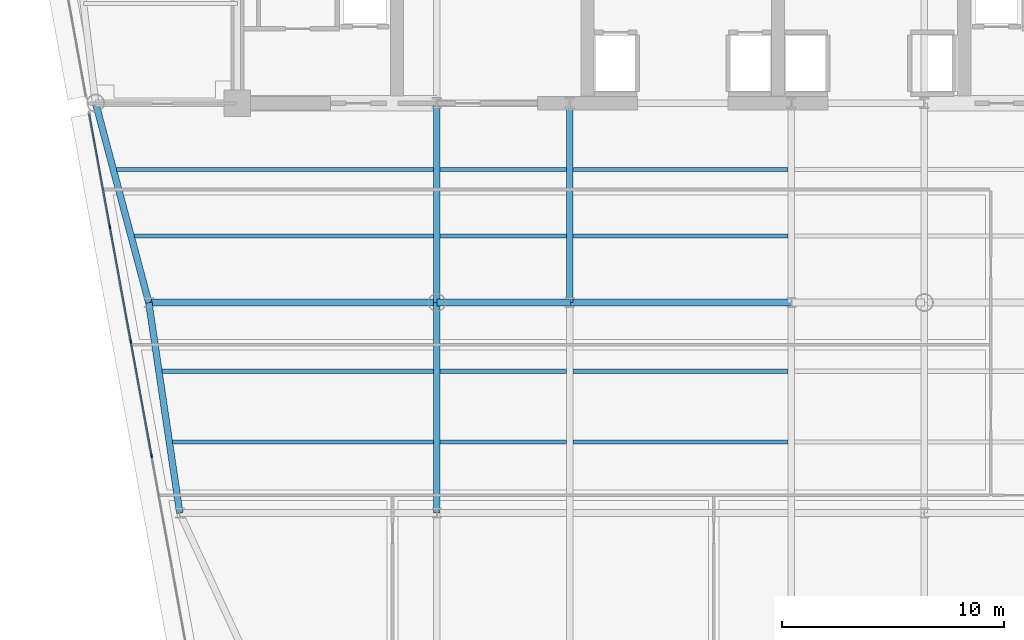
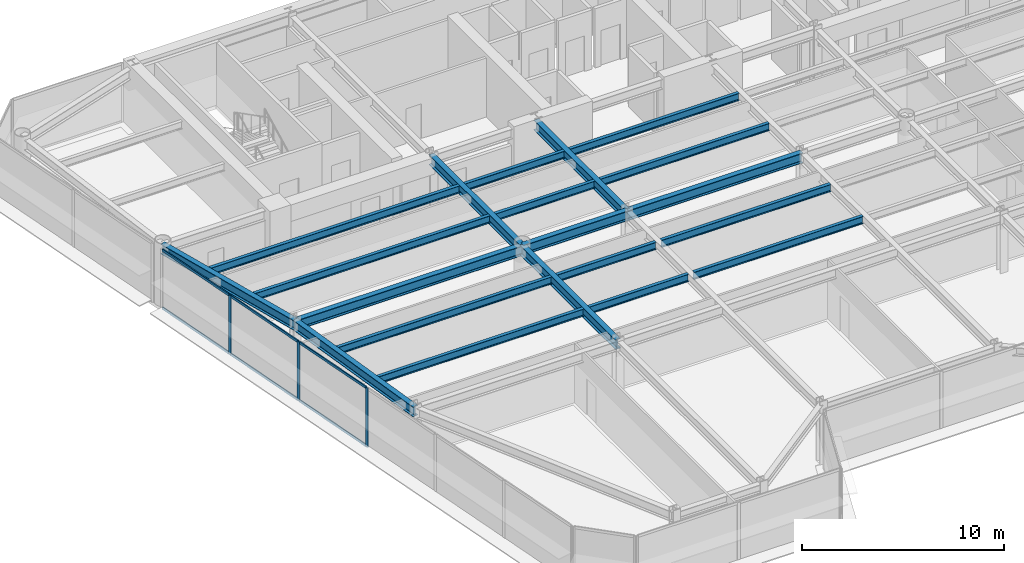
# One storey, part 4 of 17: 20 beams, 9 members, 1 element without a shape of its own.
"""IFC4 building model written with IfcOpenShell, lengths in metres."""

from ifc_helpers import new_model, si_unit, direction, frame, origin, origin_2d, place, context, subcontext, project, spatial, rectangle, i_section, extrude, source, transform, mapped, material, layer, layer_set, material_profile, profile_set, type_object, element, aggregate, save


model = new_model("IFC4")

# Units and contexts
model_context = context("Model", 3, precision=1e-05, world=origin(), true_north=direction((0.0, 1.0)))
body_context = subcontext(model_context, "Body", "Model", "MODEL_VIEW")
ifc_project = project(units=[si_unit("LENGTHUNIT", "METRE"), si_unit("AREAUNIT", "SQUARE_METRE"), si_unit("VOLUMEUNIT", "CUBIC_METRE"), si_unit("PLANEANGLEUNIT", "RADIAN"), si_unit("MASSUNIT", "GRAM", prefix="KILO")], contexts=[model_context])

# Site, building, storey
site_placement = place(None, origin())
site = spatial("IfcSite", under=ifc_project, at=site_placement, CompositionType="ELEMENT")
building_placement = place(site_placement, origin())
building = spatial("IfcBuilding", under=site, at=building_placement, Name="Vaeldorn Concourse Tower", CompositionType="ELEMENT")
storey_placement = place(building_placement, frame((0.0, 0.0, 172.800048828125)))
storey = spatial("IfcBuildingStorey", under=building, at=storey_placement, Name="L44", CompositionType="ELEMENT", Elevation=172.800048828125)

# Beams
ifc_material_1 = material(Name="Steel S355", Category="steel")
ifc_material_profile_1 = material_profile(ifc_material_1, i_section(OverallWidth=0.18994140625, OverallDepth=0.449951171875, WebThickness=0.009521484375, FlangeThickness=0.0146484375, FilletRadius=0.02099609375, at=origin_2d()), Name="IPE 450")
ifc_profile_set_1 = profile_set([ifc_material_profile_1], Name="Steel S355")
beam_type_1 = type_object("IfcBeamType", Name="BM-JS-IPE450", PredefinedType="JOIST", material=ifc_profile_set_1)
shared_shape_1 = source(origin(), body_context, "Body", "SweptSolid", [
    extrude(i_section(OverallWidth=0.18994140625, OverallDepth=0.449951171875, WebThickness=0.009521484375, FlangeThickness=0.0146484375, FilletRadius=0.02099609375, at=origin_2d()), origin(), (0.0, 0.0, 1.0), 5.7001953125),
])
for number, where, z_axis, x_axis, name in (
    (1, (23.14990234375, 21.199951171875, 3.35498046875), (1.0, 0.0, 0.0), (0.0, 1.0, 0.0), "Beam JS-L44-W2-212"),
    (2, (23.14990234375, 24.39990234375, 3.35498046875), (1.0, 0.0, 0.0), (0.0, 1.0, 0.0), "Beam JS-L44-W2-244"),
    (3, (23.14990234375, 30.5, 3.35498046875), (1.0, 0.0, 0.0), (0.0, 1.0, 0.0), "Beam JS-L44-W2-305"),
    (4, (23.14990234375, 33.5, 3.35498046875), (1.0, 0.0, 0.0), (0.0, 1.0, 0.0), "Beam JS-L44-W2-335"),
):
    element("IfcBeam", number, at=place(storey_placement, frame(where, z_axis=z_axis, x_axis=x_axis)), inside=storey, type_object=beam_type_1, Name=name, PredefinedType="JOIST", context=body_context, shape_type="MappedRepresentation", body=[
        mapped(shared_shape_1, transform((0.0, 0.0, 0.0), scale=1.0)),
    ])
shared_shape_2 = source(origin(), body_context, "Body", "SweptSolid", [
    extrude(i_section(OverallWidth=0.18994140625, OverallDepth=0.449951171875, WebThickness=0.009521484375, FlangeThickness=0.0146484375, FilletRadius=0.02099609375, at=origin_2d()), origin(), (0.0, 0.0, 1.0), 9.7001953125),
])
for number, where, z_axis, x_axis, name in (
    (5, (29.14990234375, 21.199951171875, 3.35498046875), (1.0, 0.0, 0.0), (0.0, 1.0, 0.0), "Beam JS-L44-C-212"),
    (6, (29.14990234375, 24.39990234375, 3.35498046875), (1.0, 0.0, 0.0), (0.0, 1.0, 0.0), "Beam JS-L44-C-244"),
    (7, (29.14990234375, 30.5, 3.35498046875), (1.0, 0.0, 0.0), (0.0, 1.0, 0.0), "Beam JS-L44-C-305"),
    (8, (29.14990234375, 33.5, 3.35498046875), (1.0, 0.0, 0.0), (0.0, 1.0, 0.0), "Beam JS-L44-C-335"),
):
    element("IfcBeam", number, at=place(storey_placement, frame(where, z_axis=z_axis, x_axis=x_axis)), inside=storey, type_object=beam_type_1, Name=name, PredefinedType="JOIST", context=body_context, shape_type="MappedRepresentation", body=[
        mapped(shared_shape_2, transform((0.0, 0.0, 0.0), scale=1.0)),
    ])
shared_shape_3 = source(origin(), body_context, "Body", "SweptSolid", [
    extrude(i_section(OverallWidth=0.18994140625, OverallDepth=0.449951171875, WebThickness=0.009521484375, FlangeThickness=0.0146484375, FilletRadius=0.02099609375, at=origin_2d()), origin(), (0.0, 0.0, 1.0), 11.771728515625),
])
beam_1_placement = place(storey_placement, frame((11.078369140625, 21.199951171875, 3.35498046875), z_axis=(1.0, 0.0, 0.0), x_axis=(0.0, 1.0, 0.0)))
element("IfcBeam", 9, at=beam_1_placement, inside=storey, type_object=beam_type_1, Name="Beam JS-L44-W1-212", PredefinedType="JOIST", context=body_context, shape_type="MappedRepresentation", body=[
    mapped(shared_shape_3, transform((0.0, 0.0, 0.0), scale=1.0)),
])
shared_shape_4 = source(origin(), body_context, "Body", "SweptSolid", [
    extrude(i_section(OverallWidth=0.18994140625, OverallDepth=0.449951171875, WebThickness=0.009521484375, FlangeThickness=0.0146484375, FilletRadius=0.02099609375, at=origin_2d()), origin(), (0.0, 0.0, 1.0), 12.243408203125),
])
beam_2_placement = place(storey_placement, frame((10.606689453125, 24.39990234375, 3.35498046875), z_axis=(1.0, 0.0, 0.0), x_axis=(0.0, 1.0, 0.0)))
element("IfcBeam", 10, at=beam_2_placement, inside=storey, type_object=beam_type_1, Name="Beam JS-L44-W1-244", PredefinedType="JOIST", context=body_context, shape_type="MappedRepresentation", body=[
    mapped(shared_shape_4, transform((0.0, 0.0, 0.0), scale=1.0)),
])
shared_shape_5 = source(origin(), body_context, "Body", "SweptSolid", [
    extrude(i_section(OverallWidth=0.18994140625, OverallDepth=0.449951171875, WebThickness=0.009521484375, FlangeThickness=0.0146484375, FilletRadius=0.02099609375, at=origin_2d()), origin(), (0.0, 0.0, 1.0), 13.5),
])
beam_3_placement = place(storey_placement, frame((9.35009765625, 30.5, 3.35498046875), z_axis=(1.0, 0.0, 0.0), x_axis=(0.0, 1.0, 0.0)))
element("IfcBeam", 11, at=beam_3_placement, inside=storey, type_object=beam_type_1, Name="Beam JS-L44-W1-305", PredefinedType="JOIST", context=body_context, shape_type="MappedRepresentation", body=[
    mapped(shared_shape_5, transform((0.0, 0.0, 0.0), scale=1.0)),
])
shared_shape_6 = source(origin(), body_context, "Body", "SweptSolid", [
    extrude(i_section(OverallWidth=0.18994140625, OverallDepth=0.449951171875, WebThickness=0.009521484375, FlangeThickness=0.0146484375, FilletRadius=0.02099609375, at=origin_2d()), origin(), (0.0, 0.0, 1.0), 14.300048828125),
])
beam_4_placement = place(storey_placement, frame((8.550048828125, 33.5, 3.35498046875), z_axis=(1.0, 0.0, 0.0), x_axis=(0.0, 1.0, 0.0)))
element("IfcBeam", 12, at=beam_4_placement, inside=storey, type_object=beam_type_1, Name="Beam JS-L44-W1-335", PredefinedType="JOIST", context=body_context, shape_type="MappedRepresentation", body=[
    mapped(shared_shape_6, transform((0.0, 0.0, 0.0), scale=1.0)),
])
ifc_material_profile_2 = material_profile(ifc_material_1, i_section(OverallWidth=0.300048828125, OverallDepth=0.60009765625, WebThickness=0.015380859375, FlangeThickness=0.030029296875, FilletRadius=0.027099609375, at=origin_2d()), Name="HEB 600")
ifc_profile_set_2 = profile_set([ifc_material_profile_2], Name="Steel S355")
beam_type_2 = type_object("IfcBeamType", Name="BM-PG-HEB600", PredefinedType="BEAM", material=ifc_profile_set_2)
shared_shape_7 = source(origin(), body_context, "Body", "SweptSolid", [
    extrude(i_section(OverallWidth=0.300048828125, OverallDepth=0.60009765625, WebThickness=0.015380859375, FlangeThickness=0.030029296875, FilletRadius=0.027099609375, at=origin_2d()), origin(), (0.0, 0.0, 1.0), 6.0),
])
beam_5_placement = place(storey_placement, frame((23.0, 27.5, 3.280029296875), z_axis=(1.0, 0.0, 0.0), x_axis=(0.0, 1.0, 0.0)))
element("IfcBeam", 13, at=beam_5_placement, inside=storey, type_object=beam_type_2, Name="Beam BM-L44-C-TW1-C-TW2", PredefinedType="BEAM", context=body_context, shape_type="MappedRepresentation", body=[
    mapped(shared_shape_7, transform((0.0, 0.0, 0.0), scale=1.0)),
])
shared_shape_8 = source(origin(), body_context, "Body", "SweptSolid", [
    extrude(i_section(OverallWidth=0.300048828125, OverallDepth=0.60009765625, WebThickness=0.015380859375, FlangeThickness=0.030029296875, FilletRadius=0.027099609375, at=origin_2d()), origin(), (0.0, 0.0, 1.0), 10.0),
])
beam_6_placement = place(storey_placement, frame((29.0, 27.5, 3.280029296875), z_axis=(1.0, 0.0, 0.0), x_axis=(0.0, 1.0, 0.0)))
element("IfcBeam", 14, at=beam_6_placement, inside=storey, type_object=beam_type_2, Name="Beam BM-L44-C-TW2-C-TW3", PredefinedType="BEAM", context=body_context, shape_type="MappedRepresentation", body=[
    mapped(shared_shape_8, transform((0.0, 0.0, 0.0), scale=1.0)),
])
shared_shape_9 = source(origin(), body_context, "Body", "SweptSolid", [
    extrude(i_section(OverallWidth=0.300048828125, OverallDepth=0.60009765625, WebThickness=0.015380859375, FlangeThickness=0.030029296875, FilletRadius=0.027099609375, at=origin_2d()), origin(), (0.0, 0.0, 1.0), 9.0),
])
for number, where, z_axis, x_axis, name in (
    (15, (23.0, 27.5, 3.280029296875), (0.0, 1.0, 0.0), (-1.0, 0.0, 0.0), "Beam BM-L44-C-TW1-C-FC2"),
    (16, (29.0, 27.5, 3.280029296875), (0.0, 1.0, 0.0), (-1.0, 0.0, 0.0), "Beam BM-L44-C-TW2-C-FC3"),
):
    element("IfcBeam", number, at=place(storey_placement, frame(where, z_axis=z_axis, x_axis=x_axis)), inside=storey, type_object=beam_type_2, Name=name, PredefinedType="BEAM", context=body_context, shape_type="MappedRepresentation", body=[
        mapped(shared_shape_9, transform((0.0, 0.0, 0.0), scale=1.0)),
    ])
shared_shape_10 = source(origin(), body_context, "Body", "SweptSolid", [
    extrude(i_section(OverallWidth=0.300048828125, OverallDepth=0.60009765625, WebThickness=0.015380859375, FlangeThickness=0.030029296875, FilletRadius=0.027099609375, at=origin_2d()), origin(), (0.0, 0.0, 1.0), 9.314453125),
])
beam_7_placement = place(storey_placement, frame((7.60009765625, 36.5, 3.280029296875), z_axis=(0.257652862255, -0.966237549763, 0.0), x_axis=(0.966237549763, 0.257652862255, 0.0)))
element("IfcBeam", 17, at=beam_7_placement, inside=storey, type_object=beam_type_2, Name="Beam BM-L44-C-NW2-C-FLW1", PredefinedType="BEAM", context=body_context, shape_type="MappedRepresentation", body=[
    mapped(shared_shape_10, transform((0.0, 0.0, 0.0), scale=1.0)),
])
shared_shape_11 = source(origin(), body_context, "Body", "SweptSolid", [
    extrude(i_section(OverallWidth=0.300048828125, OverallDepth=0.60009765625, WebThickness=0.015380859375, FlangeThickness=0.030029296875, FilletRadius=0.027099609375, at=origin_2d()), origin(), (0.0, 0.0, 1.0), 13.0),
])
beam_8_placement = place(storey_placement, frame((10.0, 27.5, 3.280029296875), z_axis=(1.0, 0.0, 0.0), x_axis=(0.0, 1.0, 0.0)))
element("IfcBeam", 18, at=beam_8_placement, inside=storey, type_object=beam_type_2, Name="Beam BM-L44-C-FLW1-C-TW1", PredefinedType="BEAM", context=body_context, shape_type="MappedRepresentation", body=[
    mapped(shared_shape_11, transform((0.0, 0.0, 0.0), scale=1.0)),
])
shared_shape_12 = source(origin(), body_context, "Body", "SweptSolid", [
    extrude(i_section(OverallWidth=0.300048828125, OverallDepth=0.60009765625, WebThickness=0.015380859375, FlangeThickness=0.030029296875, FilletRadius=0.027099609375, at=origin_2d()), origin(), (0.0, 0.0, 1.0), 9.6025390625),
])
beam_9_placement = place(storey_placement, frame((10.0, 27.5, 3.280029296875), z_axis=(0.145783835977, -0.989316467652, 0.0), x_axis=(0.989316467652, 0.145783835977, 0.0)))
element("IfcBeam", 19, at=beam_9_placement, inside=storey, type_object=beam_type_2, Name="Beam BM-L44-C-FLW1-C-FLW2", PredefinedType="BEAM", context=body_context, shape_type="MappedRepresentation", body=[
    mapped(shared_shape_12, transform((0.0, 0.0, 0.0), scale=1.0)),
])
shared_shape_13 = source(origin(), body_context, "Body", "SweptSolid", [
    extrude(i_section(OverallWidth=0.300048828125, OverallDepth=0.60009765625, WebThickness=0.015380859375, FlangeThickness=0.030029296875, FilletRadius=0.027099609375, at=origin_2d()), origin(), (0.0, 0.0, 1.0), 9.5),
])
beam_10_placement = place(storey_placement, frame((23.0, 18.0, 3.280029296875), z_axis=(0.0, 1.0, 0.0), x_axis=(-1.0, 0.0, 0.0)))
element("IfcBeam", 20, at=beam_10_placement, inside=storey, type_object=beam_type_2, Name="Beam BM-L44-C-TW5-C-TW1", PredefinedType="BEAM", context=body_context, shape_type="MappedRepresentation", body=[
    mapped(shared_shape_13, transform((0.0, 0.0, 0.0), scale=1.0)),
])

# Curtain wall, members
ifc_material_2 = material(Name="Anodised Bronze Aluminium", Category="aluminium")
ifc_layer = layer(ifc_material_2, 0.18994140625)
ifc_layer_set = layer_set([ifc_layer], Name="Anodised Bronze Aluminium")
curtain_wall_type = type_object("IfcCurtainWallType", Name="CW-SYS-03", PredefinedType="NOTDEFINED", material=ifc_layer_set)
curtain_wall_placement = place(storey_placement, origin())
curtain_wall = element("IfcCurtainWall", 21, at=curtain_wall_placement, inside=storey, type_object=curtain_wall_type, Name="Unitised Curtain Wall CW-L44-E11-2", PredefinedType="NOTDEFINED")
ifc_material_profile_3 = material_profile(ifc_material_2, rectangle(XDim=0.06494140625, YDim=0.169921875, at=origin_2d()), Name="CWM 65x170")
ifc_profile_set_3 = profile_set([ifc_material_profile_3], Name="Anodised Bronze Aluminium")
member_type_1 = type_object("IfcMemberType", Name="CWM-BRONZE-170", PredefinedType="MULLION", material=ifc_profile_set_3)
shared_shape_14 = source(origin(), body_context, "Body", "SweptSolid", [
    extrude(rectangle(XDim=0.06494140625, YDim=0.169921875, at=origin_2d()), origin(), (0.0, 0.0, 1.0), 3.579833984375),
])
member_1_placement = place(storey_placement, frame((8.243408203125, 30.919677734375, 0.0), z_axis=(0.0, 0.0, 1.0), x_axis=(0.983767841325, 0.179445909331, 0.0)))
member_1 = element("IfcMember", 22, at=member_1_placement, type_object=member_type_1, Name="CW-03 mullion 2", PredefinedType="MULLION", context=body_context, shape_type="MappedRepresentation", body=[
    mapped(shared_shape_14, transform((0.0, 0.0, 0.0), scale=1.0)),
])
member_2_placement = place(storey_placement, frame((9.185302734375, 25.755615234375, 0.0), z_axis=(0.0, 0.0, 1.0), x_axis=(0.983767841325, 0.179445909331, 0.0)))
member_2 = element("IfcMember", 23, at=member_2_placement, type_object=member_type_1, Name="CW-03 mullion 3", PredefinedType="MULLION", context=body_context, shape_type="MappedRepresentation", body=[
    mapped(shared_shape_14, transform((0.0, 0.0, 0.0), scale=1.0)),
])
member_3_placement = place(storey_placement, frame((10.127197265625, 20.591796875, 0.0), z_axis=(0.0, 0.0, 1.0), x_axis=(0.983767841325, 0.179445909331, 0.0)))
member_3 = element("IfcMember", 24, at=member_3_placement, type_object=member_type_1, Name="CW-03 mullion 4", PredefinedType="MULLION", context=body_context, shape_type="MappedRepresentation", body=[
    mapped(shared_shape_14, transform((0.0, 0.0, 0.0), scale=1.0)),
])
ifc_material_profile_4 = material_profile(ifc_material_2, rectangle(XDim=0.06494140625, YDim=0.14990234375, at=origin_2d()), Name="CWT 65x150")
ifc_profile_set_4 = profile_set([ifc_material_profile_4], Name="Anodised Bronze Aluminium")
member_type_2 = type_object("IfcMemberType", Name="CWT-BRONZE-150", PredefinedType="USERDEFINED", material=ifc_profile_set_4)
shared_shape_15 = source(origin(), body_context, "Body", "SweptSolid", [
    extrude(rectangle(XDim=0.06494140625, YDim=0.14990234375, at=origin_2d()), origin(), (0.0, 0.0, 1.0), 5.151611328125),
])
member_4_placement = place(storey_placement, frame((7.31298828125, 36.01953125, 0.032470703125), z_axis=(0.179473445995, -0.983762818053, 0.0), x_axis=(0.983762818053, 0.179473445995, 0.0)))
member_4 = element("IfcMember", 25, at=member_4_placement, type_object=member_type_2, Name="CW-03 transom 1.1", ObjectType="TRANSOM", PredefinedType="USERDEFINED", context=body_context, shape_type="MappedRepresentation", body=[
    mapped(shared_shape_15, transform((0.0, 0.0, 0.0), scale=1.0)),
])
member_5_placement = place(storey_placement, frame((7.31298828125, 36.01953125, 3.54736328125), z_axis=(0.179473445995, -0.983762818053, 0.0), x_axis=(0.983762818053, 0.179473445995, 0.0)))
member_5 = element("IfcMember", 26, at=member_5_placement, type_object=member_type_2, Name="CW-03 transom 1.2", ObjectType="TRANSOM", PredefinedType="USERDEFINED", context=body_context, shape_type="MappedRepresentation", body=[
    mapped(shared_shape_15, transform((0.0, 0.0, 0.0), scale=1.0)),
])
shared_shape_16 = source(origin(), body_context, "Body", "SweptSolid", [
    extrude(rectangle(XDim=0.06494140625, YDim=0.14990234375, at=origin_2d()), origin(), (0.0, 0.0, 1.0), 5.18408203125),
])
member_6_placement = place(storey_placement, frame((9.191162109375, 25.7236328125, 0.032470703125), z_axis=(0.179432467646, -0.983770293084, 0.0), x_axis=(0.983770293084, 0.179432467646, 0.0)))
member_6 = element("IfcMember", 27, at=member_6_placement, type_object=member_type_2, Name="CW-03 transom 3.1", ObjectType="TRANSOM", PredefinedType="USERDEFINED", context=body_context, shape_type="MappedRepresentation", body=[
    mapped(shared_shape_16, transform((0.0, 0.0, 0.0), scale=1.0)),
])
member_7_placement = place(storey_placement, frame((9.191162109375, 25.7236328125, 3.54736328125), z_axis=(0.179432467646, -0.983770293084, 0.0), x_axis=(0.983770293084, 0.179432467646, 0.0)))
member_7 = element("IfcMember", 28, at=member_7_placement, type_object=member_type_2, Name="CW-03 transom 3.2", ObjectType="TRANSOM", PredefinedType="USERDEFINED", context=body_context, shape_type="MappedRepresentation", body=[
    mapped(shared_shape_16, transform((0.0, 0.0, 0.0), scale=1.0)),
])
shared_shape_17 = source(origin(), body_context, "Body", "SweptSolid", [
    extrude(rectangle(XDim=0.06494140625, YDim=0.14990234375, at=origin_2d()), origin(), (0.0, 0.0, 1.0), 5.184326171875),
])
member_8_placement = place(storey_placement, frame((8.249267578125, 30.8876953125, 0.032470703125), z_axis=(0.179424154775, -0.983771809254, 0.0), x_axis=(0.983771809254, 0.179424154775, 0.0)))
member_8 = element("IfcMember", 29, at=member_8_placement, type_object=member_type_2, Name="CW-03 transom 2.1", ObjectType="TRANSOM", PredefinedType="USERDEFINED", context=body_context, shape_type="MappedRepresentation", body=[
    mapped(shared_shape_17, transform((0.0, 0.0, 0.0), scale=1.0)),
])
member_9_placement = place(storey_placement, frame((8.249267578125, 30.8876953125, 3.54736328125), z_axis=(0.179424154775, -0.983771809254, 0.0), x_axis=(0.983771809254, 0.179424154775, 0.0)))
member_9 = element("IfcMember", 30, at=member_9_placement, type_object=member_type_2, Name="CW-03 transom 2.2", ObjectType="TRANSOM", PredefinedType="USERDEFINED", context=body_context, shape_type="MappedRepresentation", body=[
    mapped(shared_shape_17, transform((0.0, 0.0, 0.0), scale=1.0)),
])
aggregate(curtain_wall, [member_1, member_2, member_3, member_4, member_5, member_8, member_9, member_6, member_7])

save(model, "model.ifc")
